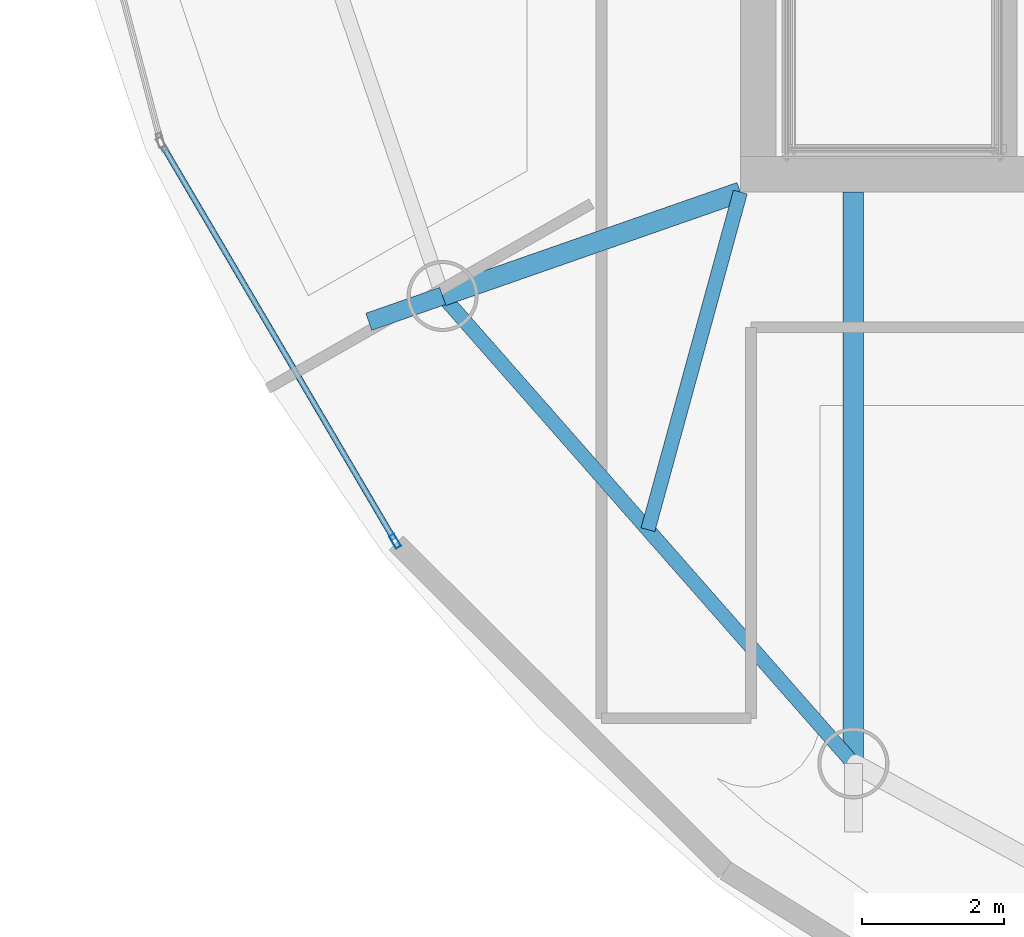
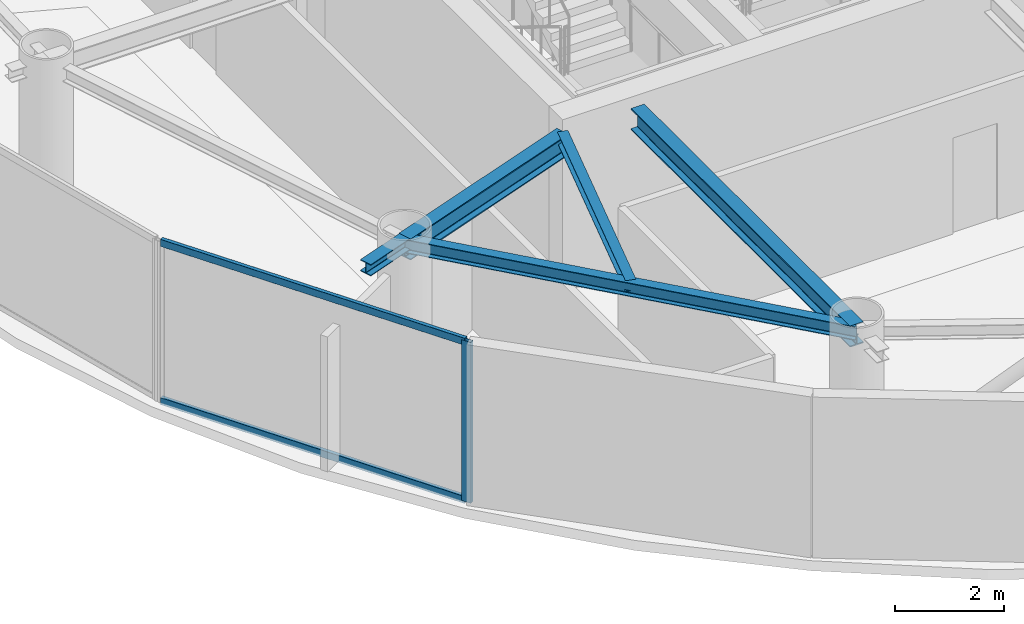
# One storey, part 2 of 20: 5 beams, 3 members, 1 element without a shape of its own.
"""IFC4 building model written with IfcOpenShell, lengths in metres."""

from ifc_helpers import new_model, si_unit, direction, frame, origin, origin_2d, place, context, subcontext, project, spatial, hollow_rectangle, i_section, extrude, material, layer, layer_set, material_profile, profile_set, type_object, element, aggregate, save


model = new_model("IFC4")

# Units and contexts
model_context = context("Model", 3, precision=1e-05, world=origin(), true_north=direction((0.0, 1.0)))
body_context = subcontext(model_context, "Body", "Model", "MODEL_VIEW")
ifc_project = project(units=[si_unit("LENGTHUNIT", "METRE"), si_unit("AREAUNIT", "SQUARE_METRE"), si_unit("VOLUMEUNIT", "CUBIC_METRE"), si_unit("PLANEANGLEUNIT", "RADIAN"), si_unit("MASSUNIT", "GRAM", prefix="KILO")], contexts=[model_context])

# Site, building, storey
site_placement = place(None, origin())
site = spatial("IfcSite", under=ifc_project, at=site_placement, CompositionType="ELEMENT")
building_placement = place(site_placement, origin())
building = spatial("IfcBuilding", under=site, at=building_placement, Name="Bramvorn Convention Spire", CompositionType="ELEMENT")
storey_placement = place(building_placement, frame((0.0, 0.0, 303.64990234375)))
storey = spatial("IfcBuildingStorey", under=building, at=storey_placement, Name="L77", CompositionType="ELEMENT", Elevation=303.64990234375)

# Beams
ifc_material_1 = material(Name="Steel CSA G40.21 Grade 350 (350W)", Category="steel")
ifc_material_profile_1 = material_profile(ifc_material_1, i_section(OverallWidth=0.201904296875, OverallDepth=0.2470703125, WebThickness=0.00732421875, FlangeThickness=0.010986328125, FilletRadius=0.011962890625, at=origin_2d()))
ifc_profile_set_1 = profile_set([ifc_material_profile_1], Name="Steel CSA G40.21 Grade 350 (350W) - W250X49")
beam_type_1 = type_object("IfcBeamType", Name="BM-W250X49", PredefinedType="JOIST", material=ifc_profile_set_1)
beam_1_placement = place(storey_placement, frame((26.75, 18.550048828125, 3.4765625), z_axis=(-0.26386506219, -0.96455960363, 0.0), x_axis=(0.96455960363, -0.26386506219, 0.0)))
element("IfcBeam", 1, at=beam_1_placement, inside=storey, type_object=beam_type_1, Name="L77 composite floor joist 13", PredefinedType="JOIST", context=body_context, shape_type="SweptSolid", body=[
    extrude(i_section(OverallWidth=0.201904296875, OverallDepth=0.2470703125, WebThickness=0.00732421875, FlangeThickness=0.010986328125, FilletRadius=0.011962890625, at=origin_2d()), origin(), (0.0, 0.0, 1.0), 4.917724609375),
])
ifc_material_profile_2 = material_profile(ifc_material_1, i_section(OverallWidth=0.25390625, OverallDepth=0.2529296875, WebThickness=0.008544921875, FlangeThickness=0.01416015625, FilletRadius=0.011962890625, at=origin_2d()))
ifc_profile_set_2 = profile_set([ifc_material_profile_2], Name="Steel CSA G40.21 Grade 350 (350W) - W250X73")
beam_type_2 = type_object("IfcBeamType", Name="BM-W250X73", PredefinedType="BEAM", material=ifc_profile_set_2)
beam_2_placement = place(storey_placement, frame((22.5673828125, 17.090087890625, 3.4736328125), z_axis=(-0.944100528137, -0.329657690295, 0.0), x_axis=(0.329657690295, -0.944100528137, 0.0)))
element("IfcBeam", 2, at=beam_2_placement, inside=storey, type_object=beam_type_2, Name="L77 slab-edge cantilever tip beam MC13", PredefinedType="BEAM", context=body_context, shape_type="SweptSolid", body=[
    extrude(i_section(OverallWidth=0.25390625, OverallDepth=0.2529296875, WebThickness=0.008544921875, FlangeThickness=0.01416015625, FilletRadius=0.011962890625, at=origin_2d()), origin(), (0.0, 0.0, 1.0), 1.09912109375),
])
ifc_material_profile_3 = material_profile(ifc_material_1, i_section(OverallWidth=0.202880859375, OverallDepth=0.302978515625, WebThickness=0.007568359375, FlangeThickness=0.01318359375, FilletRadius=0.013916015625, at=origin_2d()))
ifc_profile_set_3 = profile_set([ifc_material_profile_3], Name="Steel CSA G40.21 Grade 350 (350W) - W310X60")
beam_type_3 = type_object("IfcBeamType", Name="BM-W310X60", PredefinedType="JOIST", material=ifc_profile_set_3)
beam_3_placement = place(storey_placement, frame((22.5673828125, 17.090087890625, 3.448486328125), z_axis=(0.660073062339, -0.751201405999, 0.0), x_axis=(0.751201405999, 0.660073062339, 0.0)))
element("IfcBeam", 3, at=beam_3_placement, inside=storey, type_object=beam_type_3, Name="L77 mega-column ring beam 13", PredefinedType="JOIST", context=body_context, shape_type="SweptSolid", body=[
    extrude(i_section(OverallWidth=0.202880859375, OverallDepth=0.302978515625, WebThickness=0.007568359375, FlangeThickness=0.01318359375, FilletRadius=0.013916015625, at=origin_2d()), origin(), (0.0, 0.0, 1.0), 8.741943359375),
])
ifc_material_profile_4 = material_profile(ifc_material_1, i_section(OverallWidth=0.283935546875, OverallDepth=0.47607421875, WebThickness=0.014892578125, FlangeThickness=0.02392578125, FilletRadius=0.01806640625, at=origin_2d()))
ifc_profile_set_4 = profile_set([ifc_material_profile_4], Name="Steel CSA G40.21 Grade 350 (350W) - W460X158")
beam_type_4 = type_object("IfcBeamType", Name="BM-W460X158", PredefinedType="SPANDREL", material=ifc_profile_set_4)
beam_4_placement = place(storey_placement, frame((26.75, 18.550048828125, 3.362060546875), z_axis=(-0.944136391877, -0.329554962843, 0.0), x_axis=(0.329554962843, -0.944136391877, 0.0)))
element("IfcBeam", 4, at=beam_4_placement, inside=storey, type_object=beam_type_4, Name="L77 radial floor girder MC13", PredefinedType="SPANDREL", context=body_context, shape_type="SweptSolid", body=[
    extrude(i_section(OverallWidth=0.283935546875, OverallDepth=0.47607421875, WebThickness=0.014892578125, FlangeThickness=0.02392578125, FilletRadius=0.01806640625, at=origin_2d()), origin(), (0.0, 0.0, 1.0), 4.43017578125),
])
beam_5_placement = place(storey_placement, frame((28.337646484375, 18.550048828125, 3.362060546875), z_axis=(0.0, -1.0, 0.0), x_axis=(1.0, 0.0, 0.0)))
element("IfcBeam", 5, at=beam_5_placement, inside=storey, type_object=beam_type_4, Name="L77 radial floor girder MC14", PredefinedType="SPANDREL", context=body_context, shape_type="SweptSolid", body=[
    extrude(i_section(OverallWidth=0.283935546875, OverallDepth=0.47607421875, WebThickness=0.014892578125, FlangeThickness=0.02392578125, FilletRadius=0.01806640625, at=origin_2d()), origin(), (0.0, 0.0, 1.0), 8.02685546875),
])

# Curtain wall, members
ifc_material_2 = material(Name="Anodised Bronze Unitised Curtain Wall", Category="aluminium")
ifc_layer = layer(ifc_material_2, 0.179931640625)
ifc_layer_set = layer_set([ifc_layer], Name="Anodised Bronze Unitised Curtain Wall - CW-OFF-FRIT")
curtain_wall_type = type_object("IfcCurtainWallType", Name="CW-OFF-FRIT", PredefinedType="USERDEFINED", material=ifc_layer_set)
curtain_wall_placement = place(storey_placement, origin())
curtain_wall = element("IfcCurtainWall", 6, at=curtain_wall_placement, inside=storey, type_object=curtain_wall_type, Name="L77 fritted glass curtain wall 19", ObjectType="UNITISED CURTAIN WALL", PredefinedType="USERDEFINED")
ifc_material_3 = material(Name="Anodised Bronze Aluminium 6063-T6", Category="aluminium")
ifc_material_profile_5 = material_profile(ifc_material_3, hollow_rectangle(XDim=0.080078125, YDim=0.199951171875, WallThickness=0.00390625, InnerFilletRadius=0.0009765625, OuterFilletRadius=0.00390625, at=origin_2d()))
ifc_profile_set_5 = profile_set([ifc_material_profile_5], Name="Anodised Bronze Aluminium 6063-T6 - CWM80X200")
member_type_1 = type_object("IfcMemberType", Name="CW-MUL-180", PredefinedType="MULLION", material=ifc_profile_set_5)
member_1_placement = place(storey_placement, frame((21.8994140625, 13.645263671875, 0.0), z_axis=(0.0, 0.0, 1.0), x_axis=(-0.862240086013, -0.506499786844, 0.0)))
member_1 = element("IfcMember", 7, at=member_1_placement, type_object=member_type_1, Name="CW3 mullion 1", PredefinedType="MULLION", context=body_context, shape_type="SweptSolid", body=[
    extrude(hollow_rectangle(XDim=0.080078125, YDim=0.199951171875, WallThickness=0.00390625, InnerFilletRadius=0.0009765625, OuterFilletRadius=0.00390625, at=origin_2d()), origin(), (0.0, 0.0, 1.0), 3.60009765625),
])
ifc_material_profile_6 = material_profile(ifc_material_3, hollow_rectangle(XDim=0.080078125, YDim=0.159912109375, WallThickness=0.00390625, InnerFilletRadius=0.0009765625, OuterFilletRadius=0.00390625, at=origin_2d()))
ifc_profile_set_6 = profile_set([ifc_material_profile_6], Name="Anodised Bronze Aluminium 6063-T6 - CWT80X160")
member_type_2 = type_object("IfcMemberType", Name="CW-TRN-150", PredefinedType="USERDEFINED", material=ifc_profile_set_6)
member_2_placement = place(storey_placement, frame((21.884033203125, 13.671142578125, 0.030029296875), z_axis=(-0.506493808607, 0.86224359774, 0.0), x_axis=(-0.86224359774, -0.506493808607, 0.0)))
member_2 = element("IfcMember", 8, at=member_2_placement, type_object=member_type_2, Name="CW3 transom 1.1", ObjectType="TRANSOM", PredefinedType="USERDEFINED", context=body_context, shape_type="SweptSolid", body=[
    extrude(hollow_rectangle(XDim=0.080078125, YDim=0.159912109375, WallThickness=0.00390625, InnerFilletRadius=0.0009765625, OuterFilletRadius=0.00390625, at=origin_2d()), origin(), (0.0, 0.0, 1.0), 6.406982421875),
])
member_3_placement = place(storey_placement, frame((21.884033203125, 13.671142578125, 3.570068359375), z_axis=(-0.506493808607, 0.86224359774, 0.0), x_axis=(-0.86224359774, -0.506493808607, 0.0)))
member_3 = element("IfcMember", 9, at=member_3_placement, type_object=member_type_2, Name="CW3 transom 1.2", ObjectType="TRANSOM", PredefinedType="USERDEFINED", context=body_context, shape_type="SweptSolid", body=[
    extrude(hollow_rectangle(XDim=0.080078125, YDim=0.159912109375, WallThickness=0.00390625, InnerFilletRadius=0.0009765625, OuterFilletRadius=0.00390625, at=origin_2d()), origin(), (0.0, 0.0, 1.0), 6.406982421875),
])
aggregate(curtain_wall, [member_1, member_2, member_3])

save(model, "model.ifc")
